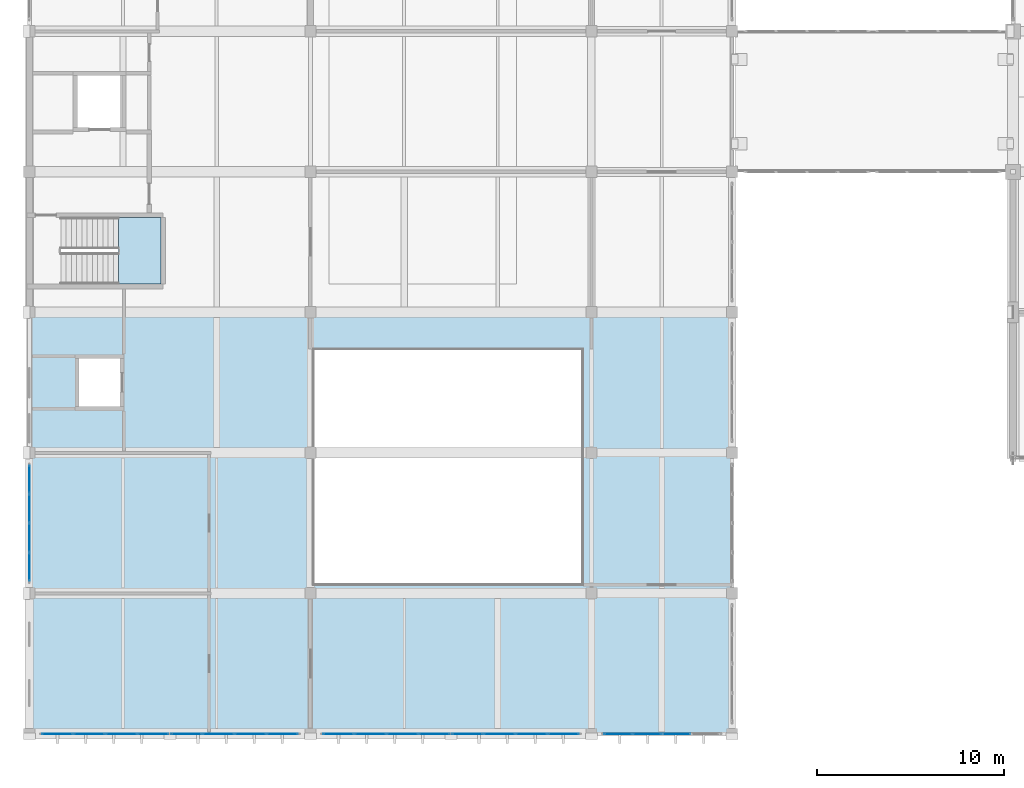
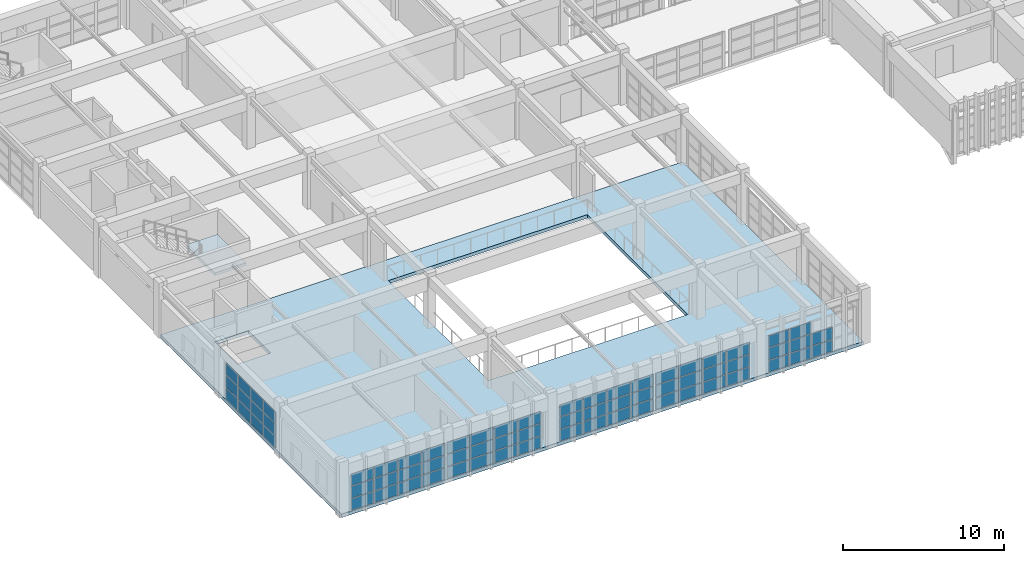
# One storey, part 76 of 124: 68 plates, 2 slabs, 7 elements without a shape of their own.
"""IFC4 building model written with IfcOpenShell, lengths in metres."""

from ifc_helpers import new_model, si_unit, direction, frame, origin, origin_2d, place, context, subcontext, project, spatial, polyline, rectangle, outline, extrude, material, layer, layer_set, type_object, element, aggregate, save


model = new_model("IFC4")

# Units and contexts
model_context = context("Model", 3, precision=1e-05, world=origin(), true_north=direction((0.0, 1.0)))
body_context = subcontext(model_context, "Body", "Model", "MODEL_VIEW")
ifc_project = project(units=[si_unit("LENGTHUNIT", "METRE"), si_unit("AREAUNIT", "SQUARE_METRE"), si_unit("VOLUMEUNIT", "CUBIC_METRE"), si_unit("PLANEANGLEUNIT", "RADIAN"), si_unit("MASSUNIT", "GRAM", prefix="KILO")], contexts=[model_context])

# Site, building, storey
site_placement = place(None, origin())
site = spatial("IfcSite", under=ifc_project, at=site_placement, CompositionType="ELEMENT")
building_placement = place(site_placement, origin())
building = spatial("IfcBuilding", under=site, at=building_placement, Name="Qasida Concert Hall", CompositionType="ELEMENT")
storey_placement = place(building_placement, frame((0.0, 0.0, 9.0)))
storey = spatial("IfcBuildingStorey", under=building, at=storey_placement, Name="L02", CompositionType="ELEMENT", Elevation=9.0)

# Curtain wall, plates
ifc_material_1 = material(Name="Architectural bronze-anodized aluminium and low-E glass", Category="aluminium")
curtain_wall_type = type_object("IfcCurtainWallType", Name="CW-08", PredefinedType="NOTDEFINED", material=ifc_material_1)
curtain_wall_1_placement = place(storey_placement, origin())
curtain_wall_1 = element("IfcCurtainWall", 1, at=curtain_wall_1_placement, inside=storey, type_object=curtain_wall_type, Name="L02 curtain wall CW-08 0099", PredefinedType="NOTDEFINED")
ifc_material_2 = material(Name="Solar-control low-E double glazing", Category="glass")
ifc_layer_1 = layer(ifc_material_2, 0.02392578125, Name="Solar-control low-E double glazing")
ifc_layer_set_1 = layer_set([ifc_layer_1], Name="Solar-control low-E double glazing")
plate_type = type_object("IfcPlateType", Name="PLT-CWP-5", PredefinedType="CURTAIN_PANEL", material=ifc_layer_set_1)
plate_1_placement = place(storey_placement, frame((1.4951171875, 0.0, 0.06005859375), z_axis=(0.0, 0.0, 1.0), x_axis=(1.0, 0.0, 0.0)))
plate_1 = element("IfcPlate", 2, at=plate_1_placement, type_object=plate_type, Name="CW-08 panel 1.1", PredefinedType="CURTAIN_PANEL", context=body_context, shape_type="SweptSolid", body=[
    extrude(rectangle(XDim=1.6201171875, YDim=0.02392578125, at=origin_2d()), origin(), (0.0, 0.0, 1.0), 0.86669921875),
])
plate_2_placement = place(storey_placement, frame((1.4951171875, 0.0, 0.98681640625), z_axis=(0.0, 0.0, 1.0), x_axis=(1.0, 0.0, 0.0)))
plate_2 = element("IfcPlate", 3, at=plate_2_placement, type_object=plate_type, Name="CW-08 panel 1.2", PredefinedType="CURTAIN_PANEL", context=body_context, shape_type="SweptSolid", body=[
    extrude(rectangle(XDim=1.6201171875, YDim=0.02392578125, at=origin_2d()), origin(), (0.0, 0.0, 1.0), 0.896484375),
])
plate_3_placement = place(storey_placement, frame((1.4951171875, 0.0, 1.943359375), z_axis=(0.0, 0.0, 1.0), x_axis=(1.0, 0.0, 0.0)))
plate_3 = element("IfcPlate", 4, at=plate_3_placement, type_object=plate_type, Name="CW-08 panel 1.3", PredefinedType="CURTAIN_PANEL", context=body_context, shape_type="SweptSolid", body=[
    extrude(rectangle(XDim=1.6201171875, YDim=0.02392578125, at=origin_2d()), origin(), (0.0, 0.0, 1.0), 0.86669921875),
])
plate_4_placement = place(storey_placement, frame((3.1962890625, 0.0, 0.06005859375), z_axis=(0.0, 0.0, 1.0), x_axis=(1.0, 0.0, 0.0)))
plate_4 = element("IfcPlate", 5, at=plate_4_placement, type_object=plate_type, Name="CW-08 panel 2.1", PredefinedType="CURTAIN_PANEL", context=body_context, shape_type="SweptSolid", body=[
    extrude(rectangle(XDim=1.652587890625, YDim=0.02392578125, at=origin_2d()), origin(), (0.0, 0.0, 1.0), 0.86669921875),
])
plate_5_placement = place(storey_placement, frame((3.1962890625, 0.0, 0.98681640625), z_axis=(0.0, 0.0, 1.0), x_axis=(1.0, 0.0, 0.0)))
plate_5 = element("IfcPlate", 6, at=plate_5_placement, type_object=plate_type, Name="CW-08 panel 2.2", PredefinedType="CURTAIN_PANEL", context=body_context, shape_type="SweptSolid", body=[
    extrude(rectangle(XDim=1.652587890625, YDim=0.02392578125, at=origin_2d()), origin(), (0.0, 0.0, 1.0), 0.896484375),
])
plate_6_placement = place(storey_placement, frame((3.1962890625, 0.0, 1.943359375), z_axis=(0.0, 0.0, 1.0), x_axis=(1.0, 0.0, 0.0)))
plate_6 = element("IfcPlate", 7, at=plate_6_placement, type_object=plate_type, Name="CW-08 panel 2.3", PredefinedType="CURTAIN_PANEL", context=body_context, shape_type="SweptSolid", body=[
    extrude(rectangle(XDim=1.652587890625, YDim=0.02392578125, at=origin_2d()), origin(), (0.0, 0.0, 1.0), 0.86669921875),
])
plate_7_placement = place(storey_placement, frame((4.913818359375, 0.0, 0.06005859375), z_axis=(0.0, 0.0, 1.0), x_axis=(1.0, 0.0, 0.0)))
plate_7 = element("IfcPlate", 8, at=plate_7_placement, type_object=plate_type, Name="CW-08 panel 3.1", PredefinedType="CURTAIN_PANEL", context=body_context, shape_type="SweptSolid", body=[
    extrude(rectangle(XDim=1.652587890625, YDim=0.02392578125, at=origin_2d()), origin(), (0.0, 0.0, 1.0), 0.86669921875),
])
plate_8_placement = place(storey_placement, frame((4.913818359375, 0.0, 0.98681640625), z_axis=(0.0, 0.0, 1.0), x_axis=(1.0, 0.0, 0.0)))
plate_8 = element("IfcPlate", 9, at=plate_8_placement, type_object=plate_type, Name="CW-08 panel 3.2", PredefinedType="CURTAIN_PANEL", context=body_context, shape_type="SweptSolid", body=[
    extrude(rectangle(XDim=1.652587890625, YDim=0.02392578125, at=origin_2d()), origin(), (0.0, 0.0, 1.0), 0.896484375),
])
plate_9_placement = place(storey_placement, frame((4.913818359375, 0.0, 1.943359375), z_axis=(0.0, 0.0, 1.0), x_axis=(1.0, 0.0, 0.0)))
plate_9 = element("IfcPlate", 10, at=plate_9_placement, type_object=plate_type, Name="CW-08 panel 3.3", PredefinedType="CURTAIN_PANEL", context=body_context, shape_type="SweptSolid", body=[
    extrude(rectangle(XDim=1.652587890625, YDim=0.02392578125, at=origin_2d()), origin(), (0.0, 0.0, 1.0), 0.86669921875),
])
plate_10_placement = place(storey_placement, frame((6.614990234375, 0.0, 0.06005859375), z_axis=(0.0, 0.0, 1.0), x_axis=(1.0, 0.0, 0.0)))
plate_10 = element("IfcPlate", 11, at=plate_10_placement, type_object=plate_type, Name="CW-08 panel 4.1", PredefinedType="CURTAIN_PANEL", context=body_context, shape_type="SweptSolid", body=[
    extrude(rectangle(XDim=1.6201171875, YDim=0.02392578125, at=origin_2d()), origin(), (0.0, 0.0, 1.0), 0.86669921875),
])
plate_11_placement = place(storey_placement, frame((6.614990234375, 0.0, 0.98681640625), z_axis=(0.0, 0.0, 1.0), x_axis=(1.0, 0.0, 0.0)))
plate_11 = element("IfcPlate", 12, at=plate_11_placement, type_object=plate_type, Name="CW-08 panel 4.2", PredefinedType="CURTAIN_PANEL", context=body_context, shape_type="SweptSolid", body=[
    extrude(rectangle(XDim=1.6201171875, YDim=0.02392578125, at=origin_2d()), origin(), (0.0, 0.0, 1.0), 0.896484375),
])
plate_12_placement = place(storey_placement, frame((6.614990234375, 0.0, 1.943359375), z_axis=(0.0, 0.0, 1.0), x_axis=(1.0, 0.0, 0.0)))
plate_12 = element("IfcPlate", 13, at=plate_12_placement, type_object=plate_type, Name="CW-08 panel 4.3", PredefinedType="CURTAIN_PANEL", context=body_context, shape_type="SweptSolid", body=[
    extrude(rectangle(XDim=1.6201171875, YDim=0.02392578125, at=origin_2d()), origin(), (0.0, 0.0, 1.0), 0.86669921875),
])
aggregate(curtain_wall_1, [plate_1, plate_2, plate_3, plate_4, plate_5, plate_6, plate_7, plate_8, plate_9, plate_10, plate_11, plate_12])

curtain_wall_2_placement = place(storey_placement, origin())
curtain_wall_2 = element("IfcCurtainWall", 14, at=curtain_wall_2_placement, inside=storey, type_object=curtain_wall_type, Name="L02 curtain wall CW-08 0101", PredefinedType="NOTDEFINED")
plate_13_placement = place(storey_placement, frame((8.385009765625, 0.0, 0.06005859375), z_axis=(0.0, 0.0, 1.0), x_axis=(1.0, 0.0, 0.0)))
plate_13 = element("IfcPlate", 15, at=plate_13_placement, type_object=plate_type, Name="CW-08 panel 1.1", PredefinedType="CURTAIN_PANEL", context=body_context, shape_type="SweptSolid", body=[
    extrude(rectangle(XDim=1.6201171875, YDim=0.02392578125, at=origin_2d()), origin(), (0.0, 0.0, 1.0), 0.86669921875),
])
plate_14_placement = place(storey_placement, frame((8.385009765625, 0.0, 0.98681640625), z_axis=(0.0, 0.0, 1.0), x_axis=(1.0, 0.0, 0.0)))
plate_14 = element("IfcPlate", 16, at=plate_14_placement, type_object=plate_type, Name="CW-08 panel 1.2", PredefinedType="CURTAIN_PANEL", context=body_context, shape_type="SweptSolid", body=[
    extrude(rectangle(XDim=1.6201171875, YDim=0.02392578125, at=origin_2d()), origin(), (0.0, 0.0, 1.0), 0.896484375),
])
plate_15_placement = place(storey_placement, frame((8.385009765625, 0.0, 1.943359375), z_axis=(0.0, 0.0, 1.0), x_axis=(1.0, 0.0, 0.0)))
plate_15 = element("IfcPlate", 17, at=plate_15_placement, type_object=plate_type, Name="CW-08 panel 1.3", PredefinedType="CURTAIN_PANEL", context=body_context, shape_type="SweptSolid", body=[
    extrude(rectangle(XDim=1.6201171875, YDim=0.02392578125, at=origin_2d()), origin(), (0.0, 0.0, 1.0), 0.86669921875),
])
plate_16_placement = place(storey_placement, frame((10.086181640625, 0.0, 0.06005859375), z_axis=(0.0, 0.0, 1.0), x_axis=(1.0, 0.0, 0.0)))
plate_16 = element("IfcPlate", 18, at=plate_16_placement, type_object=plate_type, Name="CW-08 panel 2.1", PredefinedType="CURTAIN_PANEL", context=body_context, shape_type="SweptSolid", body=[
    extrude(rectangle(XDim=1.652587890625, YDim=0.02392578125, at=origin_2d()), origin(), (0.0, 0.0, 1.0), 0.86669921875),
])
plate_17_placement = place(storey_placement, frame((10.086181640625, 0.0, 0.98681640625), z_axis=(0.0, 0.0, 1.0), x_axis=(1.0, 0.0, 0.0)))
plate_17 = element("IfcPlate", 19, at=plate_17_placement, type_object=plate_type, Name="CW-08 panel 2.2", PredefinedType="CURTAIN_PANEL", context=body_context, shape_type="SweptSolid", body=[
    extrude(rectangle(XDim=1.652587890625, YDim=0.02392578125, at=origin_2d()), origin(), (0.0, 0.0, 1.0), 0.896484375),
])
plate_18_placement = place(storey_placement, frame((10.086181640625, 0.0, 1.943359375), z_axis=(0.0, 0.0, 1.0), x_axis=(1.0, 0.0, 0.0)))
plate_18 = element("IfcPlate", 20, at=plate_18_placement, type_object=plate_type, Name="CW-08 panel 2.3", PredefinedType="CURTAIN_PANEL", context=body_context, shape_type="SweptSolid", body=[
    extrude(rectangle(XDim=1.652587890625, YDim=0.02392578125, at=origin_2d()), origin(), (0.0, 0.0, 1.0), 0.86669921875),
])
plate_19_placement = place(storey_placement, frame((11.8037109375, 0.0, 0.06005859375), z_axis=(0.0, 0.0, 1.0), x_axis=(1.0, 0.0, 0.0)))
plate_19 = element("IfcPlate", 21, at=plate_19_placement, type_object=plate_type, Name="CW-08 panel 3.1", PredefinedType="CURTAIN_PANEL", context=body_context, shape_type="SweptSolid", body=[
    extrude(rectangle(XDim=1.652587890625, YDim=0.02392578125, at=origin_2d()), origin(), (0.0, 0.0, 1.0), 0.86669921875),
])
plate_20_placement = place(storey_placement, frame((11.8037109375, 0.0, 0.98681640625), z_axis=(0.0, 0.0, 1.0), x_axis=(1.0, 0.0, 0.0)))
plate_20 = element("IfcPlate", 22, at=plate_20_placement, type_object=plate_type, Name="CW-08 panel 3.2", PredefinedType="CURTAIN_PANEL", context=body_context, shape_type="SweptSolid", body=[
    extrude(rectangle(XDim=1.652587890625, YDim=0.02392578125, at=origin_2d()), origin(), (0.0, 0.0, 1.0), 0.896484375),
])
plate_21_placement = place(storey_placement, frame((11.8037109375, 0.0, 1.943359375), z_axis=(0.0, 0.0, 1.0), x_axis=(1.0, 0.0, 0.0)))
plate_21 = element("IfcPlate", 23, at=plate_21_placement, type_object=plate_type, Name="CW-08 panel 3.3", PredefinedType="CURTAIN_PANEL", context=body_context, shape_type="SweptSolid", body=[
    extrude(rectangle(XDim=1.652587890625, YDim=0.02392578125, at=origin_2d()), origin(), (0.0, 0.0, 1.0), 0.86669921875),
])
plate_22_placement = place(storey_placement, frame((13.5048828125, 0.0, 0.06005859375), z_axis=(0.0, 0.0, 1.0), x_axis=(1.0, 0.0, 0.0)))
plate_22 = element("IfcPlate", 24, at=plate_22_placement, type_object=plate_type, Name="CW-08 panel 4.1", PredefinedType="CURTAIN_PANEL", context=body_context, shape_type="SweptSolid", body=[
    extrude(rectangle(XDim=1.6201171875, YDim=0.02392578125, at=origin_2d()), origin(), (0.0, 0.0, 1.0), 0.86669921875),
])
plate_23_placement = place(storey_placement, frame((13.5048828125, 0.0, 0.98681640625), z_axis=(0.0, 0.0, 1.0), x_axis=(1.0, 0.0, 0.0)))
plate_23 = element("IfcPlate", 25, at=plate_23_placement, type_object=plate_type, Name="CW-08 panel 4.2", PredefinedType="CURTAIN_PANEL", context=body_context, shape_type="SweptSolid", body=[
    extrude(rectangle(XDim=1.6201171875, YDim=0.02392578125, at=origin_2d()), origin(), (0.0, 0.0, 1.0), 0.896484375),
])
plate_24_placement = place(storey_placement, frame((13.5048828125, 0.0, 1.943359375), z_axis=(0.0, 0.0, 1.0), x_axis=(1.0, 0.0, 0.0)))
plate_24 = element("IfcPlate", 26, at=plate_24_placement, type_object=plate_type, Name="CW-08 panel 4.3", PredefinedType="CURTAIN_PANEL", context=body_context, shape_type="SweptSolid", body=[
    extrude(rectangle(XDim=1.6201171875, YDim=0.02392578125, at=origin_2d()), origin(), (0.0, 0.0, 1.0), 0.86669921875),
])
aggregate(curtain_wall_2, [plate_13, plate_14, plate_15, plate_16, plate_17, plate_18, plate_19, plate_20, plate_21, plate_22, plate_23, plate_24])

curtain_wall_3_placement = place(storey_placement, origin())
curtain_wall_3 = element("IfcCurtainWall", 27, at=curtain_wall_3_placement, inside=storey, type_object=curtain_wall_type, Name="L02 curtain wall CW-08 0103", PredefinedType="NOTDEFINED")
plate_25_placement = place(storey_placement, frame((16.4951171875, 0.0, 0.06005859375), z_axis=(0.0, 0.0, 1.0), x_axis=(1.0, 0.0, 0.0)))
plate_25 = element("IfcPlate", 28, at=plate_25_placement, type_object=plate_type, Name="CW-08 panel 1.1", PredefinedType="CURTAIN_PANEL", context=body_context, shape_type="SweptSolid", body=[
    extrude(rectangle(XDim=1.6201171875, YDim=0.02392578125, at=origin_2d()), origin(), (0.0, 0.0, 1.0), 0.86669921875),
])
plate_26_placement = place(storey_placement, frame((16.4951171875, 0.0, 0.98681640625), z_axis=(0.0, 0.0, 1.0), x_axis=(1.0, 0.0, 0.0)))
plate_26 = element("IfcPlate", 29, at=plate_26_placement, type_object=plate_type, Name="CW-08 panel 1.2", PredefinedType="CURTAIN_PANEL", context=body_context, shape_type="SweptSolid", body=[
    extrude(rectangle(XDim=1.6201171875, YDim=0.02392578125, at=origin_2d()), origin(), (0.0, 0.0, 1.0), 0.896484375),
])
plate_27_placement = place(storey_placement, frame((16.4951171875, 0.0, 1.943359375), z_axis=(0.0, 0.0, 1.0), x_axis=(1.0, 0.0, 0.0)))
plate_27 = element("IfcPlate", 30, at=plate_27_placement, type_object=plate_type, Name="CW-08 panel 1.3", PredefinedType="CURTAIN_PANEL", context=body_context, shape_type="SweptSolid", body=[
    extrude(rectangle(XDim=1.6201171875, YDim=0.02392578125, at=origin_2d()), origin(), (0.0, 0.0, 1.0), 0.86669921875),
])
plate_28_placement = place(storey_placement, frame((18.1962890625, 0.0, 0.06005859375), z_axis=(0.0, 0.0, 1.0), x_axis=(1.0, 0.0, 0.0)))
plate_28 = element("IfcPlate", 31, at=plate_28_placement, type_object=plate_type, Name="CW-08 panel 2.1", PredefinedType="CURTAIN_PANEL", context=body_context, shape_type="SweptSolid", body=[
    extrude(rectangle(XDim=1.652587890625, YDim=0.02392578125, at=origin_2d()), origin(), (0.0, 0.0, 1.0), 0.86669921875),
])
plate_29_placement = place(storey_placement, frame((18.1962890625, 0.0, 0.98681640625), z_axis=(0.0, 0.0, 1.0), x_axis=(1.0, 0.0, 0.0)))
plate_29 = element("IfcPlate", 32, at=plate_29_placement, type_object=plate_type, Name="CW-08 panel 2.2", PredefinedType="CURTAIN_PANEL", context=body_context, shape_type="SweptSolid", body=[
    extrude(rectangle(XDim=1.652587890625, YDim=0.02392578125, at=origin_2d()), origin(), (0.0, 0.0, 1.0), 0.896484375),
])
plate_30_placement = place(storey_placement, frame((18.1962890625, 0.0, 1.943359375), z_axis=(0.0, 0.0, 1.0), x_axis=(1.0, 0.0, 0.0)))
plate_30 = element("IfcPlate", 33, at=plate_30_placement, type_object=plate_type, Name="CW-08 panel 2.3", PredefinedType="CURTAIN_PANEL", context=body_context, shape_type="SweptSolid", body=[
    extrude(rectangle(XDim=1.652587890625, YDim=0.02392578125, at=origin_2d()), origin(), (0.0, 0.0, 1.0), 0.86669921875),
])
plate_31_placement = place(storey_placement, frame((19.913818359375, 0.0, 0.06005859375), z_axis=(0.0, 0.0, 1.0), x_axis=(1.0, 0.0, 0.0)))
plate_31 = element("IfcPlate", 34, at=plate_31_placement, type_object=plate_type, Name="CW-08 panel 3.1", PredefinedType="CURTAIN_PANEL", context=body_context, shape_type="SweptSolid", body=[
    extrude(rectangle(XDim=1.652587890625, YDim=0.02392578125, at=origin_2d()), origin(), (0.0, 0.0, 1.0), 0.86669921875),
])
plate_32_placement = place(storey_placement, frame((19.913818359375, 0.0, 0.98681640625), z_axis=(0.0, 0.0, 1.0), x_axis=(1.0, 0.0, 0.0)))
plate_32 = element("IfcPlate", 35, at=plate_32_placement, type_object=plate_type, Name="CW-08 panel 3.2", PredefinedType="CURTAIN_PANEL", context=body_context, shape_type="SweptSolid", body=[
    extrude(rectangle(XDim=1.652587890625, YDim=0.02392578125, at=origin_2d()), origin(), (0.0, 0.0, 1.0), 0.896484375),
])
plate_33_placement = place(storey_placement, frame((19.913818359375, 0.0, 1.943359375), z_axis=(0.0, 0.0, 1.0), x_axis=(1.0, 0.0, 0.0)))
plate_33 = element("IfcPlate", 36, at=plate_33_placement, type_object=plate_type, Name="CW-08 panel 3.3", PredefinedType="CURTAIN_PANEL", context=body_context, shape_type="SweptSolid", body=[
    extrude(rectangle(XDim=1.652587890625, YDim=0.02392578125, at=origin_2d()), origin(), (0.0, 0.0, 1.0), 0.86669921875),
])
plate_34_placement = place(storey_placement, frame((21.614990234375, 0.0, 0.06005859375), z_axis=(0.0, 0.0, 1.0), x_axis=(1.0, 0.0, 0.0)))
plate_34 = element("IfcPlate", 37, at=plate_34_placement, type_object=plate_type, Name="CW-08 panel 4.1", PredefinedType="CURTAIN_PANEL", context=body_context, shape_type="SweptSolid", body=[
    extrude(rectangle(XDim=1.6201171875, YDim=0.02392578125, at=origin_2d()), origin(), (0.0, 0.0, 1.0), 0.86669921875),
])
plate_35_placement = place(storey_placement, frame((21.614990234375, 0.0, 0.98681640625), z_axis=(0.0, 0.0, 1.0), x_axis=(1.0, 0.0, 0.0)))
plate_35 = element("IfcPlate", 38, at=plate_35_placement, type_object=plate_type, Name="CW-08 panel 4.2", PredefinedType="CURTAIN_PANEL", context=body_context, shape_type="SweptSolid", body=[
    extrude(rectangle(XDim=1.6201171875, YDim=0.02392578125, at=origin_2d()), origin(), (0.0, 0.0, 1.0), 0.896484375),
])
plate_36_placement = place(storey_placement, frame((21.614990234375, 0.0, 1.943359375), z_axis=(0.0, 0.0, 1.0), x_axis=(1.0, 0.0, 0.0)))
plate_36 = element("IfcPlate", 39, at=plate_36_placement, type_object=plate_type, Name="CW-08 panel 4.3", PredefinedType="CURTAIN_PANEL", context=body_context, shape_type="SweptSolid", body=[
    extrude(rectangle(XDim=1.6201171875, YDim=0.02392578125, at=origin_2d()), origin(), (0.0, 0.0, 1.0), 0.86669921875),
])
aggregate(curtain_wall_3, [plate_25, plate_26, plate_27, plate_28, plate_29, plate_30, plate_31, plate_32, plate_33, plate_34, plate_35, plate_36])

curtain_wall_4_placement = place(storey_placement, origin())
curtain_wall_4 = element("IfcCurtainWall", 40, at=curtain_wall_4_placement, inside=storey, type_object=curtain_wall_type, Name="L02 curtain wall CW-08 0105", PredefinedType="NOTDEFINED")
plate_37_placement = place(storey_placement, frame((23.385009765625, 0.0, 0.06005859375), z_axis=(0.0, 0.0, 1.0), x_axis=(1.0, 0.0, 0.0)))
plate_37 = element("IfcPlate", 41, at=plate_37_placement, type_object=plate_type, Name="CW-08 panel 1.1", PredefinedType="CURTAIN_PANEL", context=body_context, shape_type="SweptSolid", body=[
    extrude(rectangle(XDim=1.6201171875, YDim=0.02392578125, at=origin_2d()), origin(), (0.0, 0.0, 1.0), 0.86669921875),
])
plate_38_placement = place(storey_placement, frame((23.385009765625, 0.0, 0.98681640625), z_axis=(0.0, 0.0, 1.0), x_axis=(1.0, 0.0, 0.0)))
plate_38 = element("IfcPlate", 42, at=plate_38_placement, type_object=plate_type, Name="CW-08 panel 1.2", PredefinedType="CURTAIN_PANEL", context=body_context, shape_type="SweptSolid", body=[
    extrude(rectangle(XDim=1.6201171875, YDim=0.02392578125, at=origin_2d()), origin(), (0.0, 0.0, 1.0), 0.896484375),
])
plate_39_placement = place(storey_placement, frame((23.385009765625, 0.0, 1.943359375), z_axis=(0.0, 0.0, 1.0), x_axis=(1.0, 0.0, 0.0)))
plate_39 = element("IfcPlate", 43, at=plate_39_placement, type_object=plate_type, Name="CW-08 panel 1.3", PredefinedType="CURTAIN_PANEL", context=body_context, shape_type="SweptSolid", body=[
    extrude(rectangle(XDim=1.6201171875, YDim=0.02392578125, at=origin_2d()), origin(), (0.0, 0.0, 1.0), 0.86669921875),
])
plate_40_placement = place(storey_placement, frame((25.086181640625, 0.0, 0.06005859375), z_axis=(0.0, 0.0, 1.0), x_axis=(1.0, 0.0, 0.0)))
plate_40 = element("IfcPlate", 44, at=plate_40_placement, type_object=plate_type, Name="CW-08 panel 2.1", PredefinedType="CURTAIN_PANEL", context=body_context, shape_type="SweptSolid", body=[
    extrude(rectangle(XDim=1.652587890625, YDim=0.02392578125, at=origin_2d()), origin(), (0.0, 0.0, 1.0), 0.86669921875),
])
plate_41_placement = place(storey_placement, frame((25.086181640625, 0.0, 0.98681640625), z_axis=(0.0, 0.0, 1.0), x_axis=(1.0, 0.0, 0.0)))
plate_41 = element("IfcPlate", 45, at=plate_41_placement, type_object=plate_type, Name="CW-08 panel 2.2", PredefinedType="CURTAIN_PANEL", context=body_context, shape_type="SweptSolid", body=[
    extrude(rectangle(XDim=1.652587890625, YDim=0.02392578125, at=origin_2d()), origin(), (0.0, 0.0, 1.0), 0.896484375),
])
plate_42_placement = place(storey_placement, frame((25.086181640625, 0.0, 1.943359375), z_axis=(0.0, 0.0, 1.0), x_axis=(1.0, 0.0, 0.0)))
plate_42 = element("IfcPlate", 46, at=plate_42_placement, type_object=plate_type, Name="CW-08 panel 2.3", PredefinedType="CURTAIN_PANEL", context=body_context, shape_type="SweptSolid", body=[
    extrude(rectangle(XDim=1.652587890625, YDim=0.02392578125, at=origin_2d()), origin(), (0.0, 0.0, 1.0), 0.86669921875),
])
plate_43_placement = place(storey_placement, frame((26.8037109375, 0.0, 0.06005859375), z_axis=(0.0, 0.0, 1.0), x_axis=(1.0, 0.0, 0.0)))
plate_43 = element("IfcPlate", 47, at=plate_43_placement, type_object=plate_type, Name="CW-08 panel 3.1", PredefinedType="CURTAIN_PANEL", context=body_context, shape_type="SweptSolid", body=[
    extrude(rectangle(XDim=1.652587890625, YDim=0.02392578125, at=origin_2d()), origin(), (0.0, 0.0, 1.0), 0.86669921875),
])
plate_44_placement = place(storey_placement, frame((26.8037109375, 0.0, 0.98681640625), z_axis=(0.0, 0.0, 1.0), x_axis=(1.0, 0.0, 0.0)))
plate_44 = element("IfcPlate", 48, at=plate_44_placement, type_object=plate_type, Name="CW-08 panel 3.2", PredefinedType="CURTAIN_PANEL", context=body_context, shape_type="SweptSolid", body=[
    extrude(rectangle(XDim=1.652587890625, YDim=0.02392578125, at=origin_2d()), origin(), (0.0, 0.0, 1.0), 0.896484375),
])
plate_45_placement = place(storey_placement, frame((26.8037109375, 0.0, 1.943359375), z_axis=(0.0, 0.0, 1.0), x_axis=(1.0, 0.0, 0.0)))
plate_45 = element("IfcPlate", 49, at=plate_45_placement, type_object=plate_type, Name="CW-08 panel 3.3", PredefinedType="CURTAIN_PANEL", context=body_context, shape_type="SweptSolid", body=[
    extrude(rectangle(XDim=1.652587890625, YDim=0.02392578125, at=origin_2d()), origin(), (0.0, 0.0, 1.0), 0.86669921875),
])
plate_46_placement = place(storey_placement, frame((28.5048828125, 0.0, 0.06005859375), z_axis=(0.0, 0.0, 1.0), x_axis=(1.0, 0.0, 0.0)))
plate_46 = element("IfcPlate", 50, at=plate_46_placement, type_object=plate_type, Name="CW-08 panel 4.1", PredefinedType="CURTAIN_PANEL", context=body_context, shape_type="SweptSolid", body=[
    extrude(rectangle(XDim=1.6201171875, YDim=0.02392578125, at=origin_2d()), origin(), (0.0, 0.0, 1.0), 0.86669921875),
])
plate_47_placement = place(storey_placement, frame((28.5048828125, 0.0, 0.98681640625), z_axis=(0.0, 0.0, 1.0), x_axis=(1.0, 0.0, 0.0)))
plate_47 = element("IfcPlate", 51, at=plate_47_placement, type_object=plate_type, Name="CW-08 panel 4.2", PredefinedType="CURTAIN_PANEL", context=body_context, shape_type="SweptSolid", body=[
    extrude(rectangle(XDim=1.6201171875, YDim=0.02392578125, at=origin_2d()), origin(), (0.0, 0.0, 1.0), 0.896484375),
])
plate_48_placement = place(storey_placement, frame((28.5048828125, 0.0, 1.943359375), z_axis=(0.0, 0.0, 1.0), x_axis=(1.0, 0.0, 0.0)))
plate_48 = element("IfcPlate", 52, at=plate_48_placement, type_object=plate_type, Name="CW-08 panel 4.3", PredefinedType="CURTAIN_PANEL", context=body_context, shape_type="SweptSolid", body=[
    extrude(rectangle(XDim=1.6201171875, YDim=0.02392578125, at=origin_2d()), origin(), (0.0, 0.0, 1.0), 0.86669921875),
])
aggregate(curtain_wall_4, [plate_37, plate_38, plate_39, plate_40, plate_41, plate_42, plate_43, plate_44, plate_45, plate_46, plate_47, plate_48])

curtain_wall_5_placement = place(storey_placement, origin())
curtain_wall_5 = element("IfcCurtainWall", 53, at=curtain_wall_5_placement, inside=storey, type_object=curtain_wall_type, Name="L02 curtain wall CW-08 0107", PredefinedType="NOTDEFINED")
plate_49_placement = place(storey_placement, frame((31.418701171875, 0.0, 0.06005859375), z_axis=(0.0, 0.0, 1.0), x_axis=(1.0, 0.0, 0.0)))
plate_49 = element("IfcPlate", 54, at=plate_49_placement, type_object=plate_type, Name="CW-08 panel 1.1", PredefinedType="CURTAIN_PANEL", context=body_context, shape_type="SweptSolid", body=[
    extrude(rectangle(XDim=1.467529296875, YDim=0.02392578125, at=origin_2d()), origin(), (0.0, 0.0, 1.0), 0.86669921875),
])
plate_50_placement = place(storey_placement, frame((31.418701171875, 0.0, 0.98681640625), z_axis=(0.0, 0.0, 1.0), x_axis=(1.0, 0.0, 0.0)))
plate_50 = element("IfcPlate", 55, at=plate_50_placement, type_object=plate_type, Name="CW-08 panel 1.2", PredefinedType="CURTAIN_PANEL", context=body_context, shape_type="SweptSolid", body=[
    extrude(rectangle(XDim=1.467529296875, YDim=0.02392578125, at=origin_2d()), origin(), (0.0, 0.0, 1.0), 0.896484375),
])
plate_51_placement = place(storey_placement, frame((31.418701171875, 0.0, 1.943359375), z_axis=(0.0, 0.0, 1.0), x_axis=(1.0, 0.0, 0.0)))
plate_51 = element("IfcPlate", 56, at=plate_51_placement, type_object=plate_type, Name="CW-08 panel 1.3", PredefinedType="CURTAIN_PANEL", context=body_context, shape_type="SweptSolid", body=[
    extrude(rectangle(XDim=1.467529296875, YDim=0.02392578125, at=origin_2d()), origin(), (0.0, 0.0, 1.0), 0.86669921875),
])
plate_52_placement = place(storey_placement, frame((32.967529296875, 0.0, 0.06005859375), z_axis=(0.0, 0.0, 1.0), x_axis=(1.0, 0.0, 0.0)))
plate_52 = element("IfcPlate", 57, at=plate_52_placement, type_object=plate_type, Name="CW-08 panel 2.1", PredefinedType="CURTAIN_PANEL", context=body_context, shape_type="SweptSolid", body=[
    extrude(rectangle(XDim=1.5, YDim=0.02392578125, at=origin_2d()), origin(), (0.0, 0.0, 1.0), 0.86669921875),
])
plate_53_placement = place(storey_placement, frame((32.967529296875, 0.0, 0.98681640625), z_axis=(0.0, 0.0, 1.0), x_axis=(1.0, 0.0, 0.0)))
plate_53 = element("IfcPlate", 58, at=plate_53_placement, type_object=plate_type, Name="CW-08 panel 2.2", PredefinedType="CURTAIN_PANEL", context=body_context, shape_type="SweptSolid", body=[
    extrude(rectangle(XDim=1.5, YDim=0.02392578125, at=origin_2d()), origin(), (0.0, 0.0, 1.0), 0.896484375),
])
plate_54_placement = place(storey_placement, frame((32.967529296875, 0.0, 1.943359375), z_axis=(0.0, 0.0, 1.0), x_axis=(1.0, 0.0, 0.0)))
plate_54 = element("IfcPlate", 59, at=plate_54_placement, type_object=plate_type, Name="CW-08 panel 2.3", PredefinedType="CURTAIN_PANEL", context=body_context, shape_type="SweptSolid", body=[
    extrude(rectangle(XDim=1.5, YDim=0.02392578125, at=origin_2d()), origin(), (0.0, 0.0, 1.0), 0.86669921875),
])
plate_55_placement = place(storey_placement, frame((34.532470703125, 0.0, 0.06005859375), z_axis=(0.0, 0.0, 1.0), x_axis=(1.0, 0.0, 0.0)))
plate_55 = element("IfcPlate", 60, at=plate_55_placement, type_object=plate_type, Name="CW-08 panel 3.1", PredefinedType="CURTAIN_PANEL", context=body_context, shape_type="SweptSolid", body=[
    extrude(rectangle(XDim=1.5, YDim=0.02392578125, at=origin_2d()), origin(), (0.0, 0.0, 1.0), 0.86669921875),
])
plate_56_placement = place(storey_placement, frame((34.532470703125, 0.0, 0.98681640625), z_axis=(0.0, 0.0, 1.0), x_axis=(1.0, 0.0, 0.0)))
plate_56 = element("IfcPlate", 61, at=plate_56_placement, type_object=plate_type, Name="CW-08 panel 3.2", PredefinedType="CURTAIN_PANEL", context=body_context, shape_type="SweptSolid", body=[
    extrude(rectangle(XDim=1.5, YDim=0.02392578125, at=origin_2d()), origin(), (0.0, 0.0, 1.0), 0.896484375),
])
aggregate(curtain_wall_5, [plate_49, plate_50, plate_51, plate_52, plate_53, plate_54, plate_55, plate_56])

curtain_wall_6_placement = place(storey_placement, origin())
curtain_wall_6 = element("IfcCurtainWall", 62, at=curtain_wall_6_placement, inside=storey, type_object=curtain_wall_type, Name="L02 curtain wall CW-08 0110", PredefinedType="NOTDEFINED")
plate_57_placement = place(storey_placement, frame((0.0, 8.918701171875, 0.06005859375), z_axis=(0.0, 0.0, 1.0), x_axis=(0.0, 1.0, 0.0)))
plate_57 = element("IfcPlate", 63, at=plate_57_placement, type_object=plate_type, Name="CW-08 panel 1.1", PredefinedType="CURTAIN_PANEL", context=body_context, shape_type="SweptSolid", body=[
    extrude(rectangle(XDim=1.467529296875, YDim=0.02392578125, at=origin_2d()), origin(), (0.0, 0.0, 1.0), 0.86669921875),
])
plate_58_placement = place(storey_placement, frame((0.0, 8.918701171875, 0.98681640625), z_axis=(0.0, 0.0, 1.0), x_axis=(0.0, 1.0, 0.0)))
plate_58 = element("IfcPlate", 64, at=plate_58_placement, type_object=plate_type, Name="CW-08 panel 1.2", PredefinedType="CURTAIN_PANEL", context=body_context, shape_type="SweptSolid", body=[
    extrude(rectangle(XDim=1.467529296875, YDim=0.02392578125, at=origin_2d()), origin(), (0.0, 0.0, 1.0), 0.896484375),
])
plate_59_placement = place(storey_placement, frame((0.0, 8.918701171875, 1.943359375), z_axis=(0.0, 0.0, 1.0), x_axis=(0.0, 1.0, 0.0)))
plate_59 = element("IfcPlate", 65, at=plate_59_placement, type_object=plate_type, Name="CW-08 panel 1.3", PredefinedType="CURTAIN_PANEL", context=body_context, shape_type="SweptSolid", body=[
    extrude(rectangle(XDim=1.467529296875, YDim=0.02392578125, at=origin_2d()), origin(), (0.0, 0.0, 1.0), 0.86669921875),
])
plate_60_placement = place(storey_placement, frame((0.0, 10.467529296875, 0.06005859375), z_axis=(0.0, 0.0, 1.0), x_axis=(0.0, 1.0, 0.0)))
plate_60 = element("IfcPlate", 66, at=plate_60_placement, type_object=plate_type, Name="CW-08 panel 2.1", PredefinedType="CURTAIN_PANEL", context=body_context, shape_type="SweptSolid", body=[
    extrude(rectangle(XDim=1.5, YDim=0.02392578125, at=origin_2d()), origin(), (0.0, 0.0, 1.0), 0.86669921875),
])
plate_61_placement = place(storey_placement, frame((0.0, 10.467529296875, 0.98681640625), z_axis=(0.0, 0.0, 1.0), x_axis=(0.0, 1.0, 0.0)))
plate_61 = element("IfcPlate", 67, at=plate_61_placement, type_object=plate_type, Name="CW-08 panel 2.2", PredefinedType="CURTAIN_PANEL", context=body_context, shape_type="SweptSolid", body=[
    extrude(rectangle(XDim=1.5, YDim=0.02392578125, at=origin_2d()), origin(), (0.0, 0.0, 1.0), 0.896484375),
])
plate_62_placement = place(storey_placement, frame((0.0, 10.467529296875, 1.943359375), z_axis=(0.0, 0.0, 1.0), x_axis=(0.0, 1.0, 0.0)))
plate_62 = element("IfcPlate", 68, at=plate_62_placement, type_object=plate_type, Name="CW-08 panel 2.3", PredefinedType="CURTAIN_PANEL", context=body_context, shape_type="SweptSolid", body=[
    extrude(rectangle(XDim=1.5, YDim=0.02392578125, at=origin_2d()), origin(), (0.0, 0.0, 1.0), 0.86669921875),
])
plate_63_placement = place(storey_placement, frame((0.0, 12.032470703125, 0.06005859375), z_axis=(0.0, 0.0, 1.0), x_axis=(0.0, 1.0, 0.0)))
plate_63 = element("IfcPlate", 69, at=plate_63_placement, type_object=plate_type, Name="CW-08 panel 3.1", PredefinedType="CURTAIN_PANEL", context=body_context, shape_type="SweptSolid", body=[
    extrude(rectangle(XDim=1.5, YDim=0.02392578125, at=origin_2d()), origin(), (0.0, 0.0, 1.0), 0.86669921875),
])
plate_64_placement = place(storey_placement, frame((0.0, 12.032470703125, 0.98681640625), z_axis=(0.0, 0.0, 1.0), x_axis=(0.0, 1.0, 0.0)))
plate_64 = element("IfcPlate", 70, at=plate_64_placement, type_object=plate_type, Name="CW-08 panel 3.2", PredefinedType="CURTAIN_PANEL", context=body_context, shape_type="SweptSolid", body=[
    extrude(rectangle(XDim=1.5, YDim=0.02392578125, at=origin_2d()), origin(), (0.0, 0.0, 1.0), 0.896484375),
])
plate_65_placement = place(storey_placement, frame((0.0, 12.032470703125, 1.943359375), z_axis=(0.0, 0.0, 1.0), x_axis=(0.0, 1.0, 0.0)))
plate_65 = element("IfcPlate", 71, at=plate_65_placement, type_object=plate_type, Name="CW-08 panel 3.3", PredefinedType="CURTAIN_PANEL", context=body_context, shape_type="SweptSolid", body=[
    extrude(rectangle(XDim=1.5, YDim=0.02392578125, at=origin_2d()), origin(), (0.0, 0.0, 1.0), 0.86669921875),
])
plate_66_placement = place(storey_placement, frame((0.0, 13.581298828125, 0.06005859375), z_axis=(0.0, 0.0, 1.0), x_axis=(0.0, 1.0, 0.0)))
plate_66 = element("IfcPlate", 72, at=plate_66_placement, type_object=plate_type, Name="CW-08 panel 4.1", PredefinedType="CURTAIN_PANEL", context=body_context, shape_type="SweptSolid", body=[
    extrude(rectangle(XDim=1.467529296875, YDim=0.02392578125, at=origin_2d()), origin(), (0.0, 0.0, 1.0), 0.86669921875),
])
plate_67_placement = place(storey_placement, frame((0.0, 13.581298828125, 0.98681640625), z_axis=(0.0, 0.0, 1.0), x_axis=(0.0, 1.0, 0.0)))
plate_67 = element("IfcPlate", 73, at=plate_67_placement, type_object=plate_type, Name="CW-08 panel 4.2", PredefinedType="CURTAIN_PANEL", context=body_context, shape_type="SweptSolid", body=[
    extrude(rectangle(XDim=1.467529296875, YDim=0.02392578125, at=origin_2d()), origin(), (0.0, 0.0, 1.0), 0.896484375),
])
plate_68_placement = place(storey_placement, frame((0.0, 13.581298828125, 1.943359375), z_axis=(0.0, 0.0, 1.0), x_axis=(0.0, 1.0, 0.0)))
plate_68 = element("IfcPlate", 74, at=plate_68_placement, type_object=plate_type, Name="CW-08 panel 4.3", PredefinedType="CURTAIN_PANEL", context=body_context, shape_type="SweptSolid", body=[
    extrude(rectangle(XDim=1.467529296875, YDim=0.02392578125, at=origin_2d()), origin(), (0.0, 0.0, 1.0), 0.86669921875),
])
aggregate(curtain_wall_6, [plate_57, plate_58, plate_59, plate_60, plate_61, plate_62, plate_63, plate_64, plate_65, plate_66, plate_67, plate_68])

# Slab
ifc_material_3 = material(Name="Concrete C40/50", Category="concrete")
ifc_layer_2 = layer(ifc_material_3, 0.260009765625, Name="Concrete C40/50")
ifc_layer_set_2 = layer_set([ifc_layer_2], Name="Concrete C40/50")
slab_type_1 = type_object("IfcSlabType", Name="SL-FS-260", PredefinedType="FLOOR", material=ifc_layer_set_2)
slab_1_placement = place(storey_placement, frame((0.0, 0.0, -0.260009765625)))
element("IfcSlab", 75, at=slab_1_placement, inside=storey, type_object=slab_type_1, Name="V3 first circle south (FS-260)", PredefinedType="FLOOR", context=body_context, shape_type="SweptSolid", body=[
    extrude(outline(polyline([(0.0, 0.0), (37.5, 0.0), (37.5, 22.5), (0.0, 22.5), (0.0, 0.0)]), holes=[polyline([(15.199951171875, 8.0), (29.5, 8.0), (29.5, 20.5), (15.199951171875, 20.5), (15.199951171875, 8.0)]), polyline([(2.550048828125, 17.35009765625), (4.949951171875, 17.35009765625), (4.949951171875, 20.14990234375), (2.550048828125, 20.14990234375), (2.550048828125, 17.35009765625)])]), origin(), (0.0, 0.0, 1.0), 0.260009765625),
])

# Stair, slab
stair_type = type_object("IfcStairType", Name="ST-DL-168", PredefinedType="HALF_TURN_STAIR", material=ifc_material_3)
stair_placement = place(storey_placement, origin())
stair = element("IfcStair", 76, at=stair_placement, inside=storey, type_object=stair_type, Name="L02 Exit stair ST-03", PredefinedType="HALF_TURN_STAIR")
ifc_layer_3 = layer(ifc_material_3, 0.199951171875, Name="Concrete C40/50")
ifc_layer_set_3 = layer_set([ifc_layer_3], Name="Concrete C40/50")
slab_type_2 = type_object("IfcSlabType", Name="SL-LND-200", PredefinedType="LANDING", material=ifc_layer_set_3)
slab_2_placement = place(storey_placement, frame((0.0, 0.0, 1.89990234375)))
slab_2 = element("IfcSlab", 77, at=slab_2_placement, type_object=slab_type_2, Name="ST-03 landing 1", PredefinedType="LANDING", context=body_context, shape_type="SweptSolid", body=[
    extrude(outline(polyline([(4.760009765625, 24.0), (7.02001953125, 24.0), (7.02001953125, 27.56005859375), (4.760009765625, 27.56005859375), (4.760009765625, 24.0)])), origin(), (0.0, 0.0, 1.0), 0.2001953125),
])
aggregate(stair, [slab_2])

save(model, "model.ifc")
